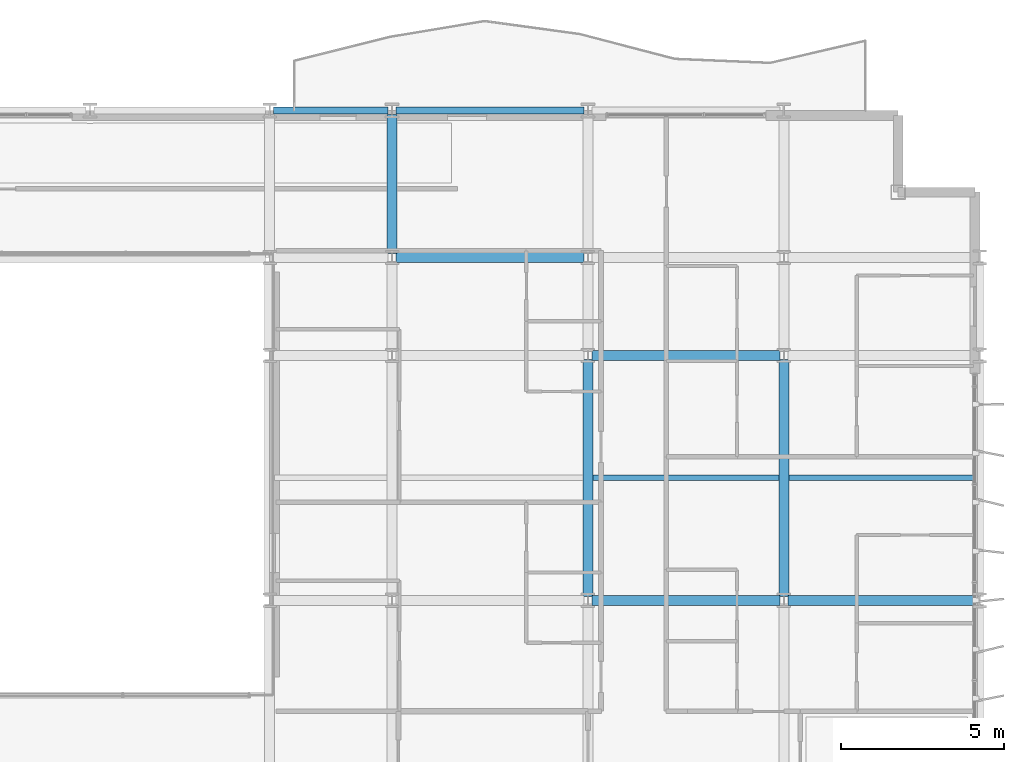
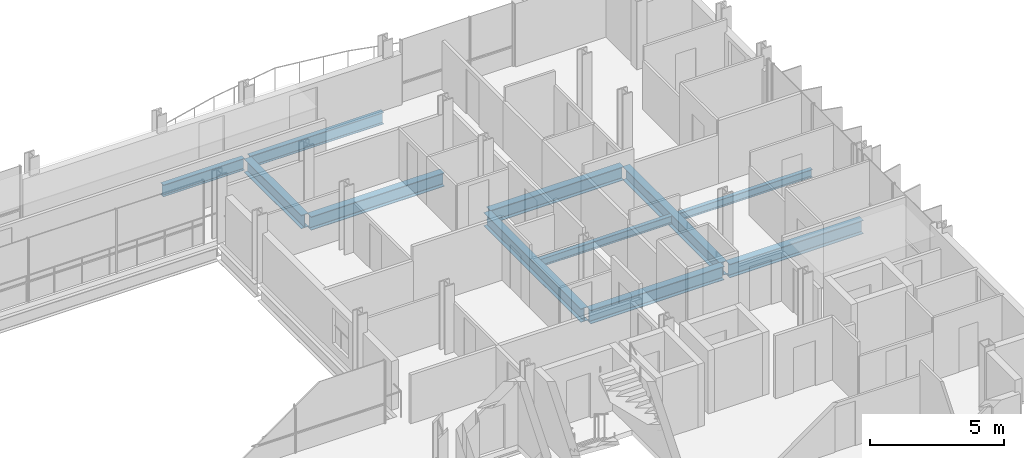
# One storey, part 18 of 39: 11 beams.
"""IFC4 building model written with IfcOpenShell, lengths in metres."""

from ifc_helpers import new_model, si_unit, direction, frame, origin, origin_2d, place, context, subcontext, project, spatial, i_section, extrude, material, material_profile, profile_set, type_object, element, save


model = new_model("IFC4")

# Units and contexts
model_context = context("Model", 3, precision=1e-05, world=origin(), true_north=direction((0.0, 1.0)))
body_context = subcontext(model_context, "Body", "Model", "MODEL_VIEW")
ifc_project = project(units=[si_unit("LENGTHUNIT", "METRE"), si_unit("AREAUNIT", "SQUARE_METRE"), si_unit("VOLUMEUNIT", "CUBIC_METRE"), si_unit("PLANEANGLEUNIT", "RADIAN"), si_unit("MASSUNIT", "GRAM", prefix="KILO")], contexts=[model_context])

# Site, building, storey
site_placement = place(None, origin())
site = spatial("IfcSite", under=ifc_project, at=site_placement, CompositionType="ELEMENT")
building_placement = place(site_placement, origin())
building = spatial("IfcBuilding", under=site, at=building_placement, Name="Brevholm Reach", CompositionType="ELEMENT")
storey_placement = place(building_placement, frame((0.0, 0.0, 90.0)))
storey = spatial("IfcBuildingStorey", under=building, at=storey_placement, Name="L26", CompositionType="ELEMENT", Elevation=90.0)

# Beams
ifc_material_1 = material(Name="Structural Steel S355J2", Category="steel")
ifc_material_profile_1 = material_profile(ifc_material_1, i_section(OverallWidth=0.17138671875, OverallDepth=0.35498046875, WebThickness=0.00732421875, FlangeThickness=0.011474609375, FilletRadius=0.01025390625, at=origin_2d()), Name="UKB 356x171x51")
ifc_profile_set_1 = profile_set([ifc_material_profile_1], Name="Structural Steel S355J2")
beam_type_1 = type_object("IfcBeamType", Name="BM-B356", PredefinedType="BEAM", material=ifc_profile_set_1)
beam_1_placement = place(storey_placement, frame((48.153564453125, 19.75, -0.407470703125), z_axis=(1.0, 0.0, 0.0), x_axis=(0.0, 1.0, 0.0)))
element("IfcBeam", 1, at=beam_1_placement, inside=storey, type_object=beam_type_1, Name="L26 Composite Secondary Floor Beam", PredefinedType="BEAM", context=body_context, shape_type="SweptSolid", body=[
    extrude(i_section(OverallWidth=0.17138671875, OverallDepth=0.35498046875, WebThickness=0.00732421875, FlangeThickness=0.011474609375, FilletRadius=0.01025390625, at=origin_2d()), origin(), (0.0, 0.0, 1.0), 5.69287109375),
])
beam_2_placement = place(storey_placement, frame((54.153564453125, 19.75, -0.407470703125), z_axis=(1.0, 0.0, 0.0), x_axis=(0.0, 1.0, 0.0)))
element("IfcBeam", 2, at=beam_2_placement, inside=storey, type_object=beam_type_1, Name="L26 Composite Secondary Floor Beam", PredefinedType="BEAM", context=body_context, shape_type="SweptSolid", body=[
    extrude(i_section(OverallWidth=0.17138671875, OverallDepth=0.35498046875, WebThickness=0.00732421875, FlangeThickness=0.011474609375, FilletRadius=0.01025390625, at=origin_2d()), origin(), (0.0, 0.0, 1.0), 5.740966796875),
])
ifc_material_2 = material(Name="Structural Steel S355J2", Category="steel")
ifc_material_profile_2 = material_profile(ifc_material_2, i_section(OverallWidth=0.210693359375, OverallDepth=0.53955078125, WebThickness=0.01171875, FlangeThickness=0.018798828125, FilletRadius=0.0126953125, at=origin_2d()), Name="UKB 533x210x109")
ifc_profile_set_2 = profile_set([ifc_material_profile_2], Name="Structural Steel S355J2")
beam_type_2 = type_object("IfcBeamType", Name="BM-SP539", PredefinedType="SPANDREL", material=ifc_profile_set_2)
beam_3_placement = place(storey_placement, frame((38.3701171875, 31.0, -0.499755859375), z_axis=(1.0, 0.0, 0.0), x_axis=(0.0, 1.0, 0.0)))
element("IfcBeam", 3, at=beam_3_placement, inside=storey, type_object=beam_type_2, Name="L26 SP-01B Framing Beam", PredefinedType="SPANDREL", context=body_context, shape_type="SweptSolid", body=[
    extrude(i_section(OverallWidth=0.210693359375, OverallDepth=0.53955078125, WebThickness=0.01171875, FlangeThickness=0.018798828125, FilletRadius=0.0126953125, at=origin_2d()), origin(), (0.0, 0.0, 1.0), 3.509765625),
])
beam_4_placement = place(storey_placement, frame((42.1201171875, 31.0, -0.499755859375), z_axis=(1.0, 0.0, 0.0), x_axis=(0.0, 1.0, 0.0)))
element("IfcBeam", 4, at=beam_4_placement, inside=storey, type_object=beam_type_2, Name="L26 SP-01B Framing Beam", PredefinedType="SPANDREL", context=body_context, shape_type="SweptSolid", body=[
    extrude(i_section(OverallWidth=0.210693359375, OverallDepth=0.53955078125, WebThickness=0.01171875, FlangeThickness=0.018798828125, FilletRadius=0.0126953125, at=origin_2d()), origin(), (0.0, 0.0, 1.0), 5.759765625),
])
ifc_material_3 = material(Name="Structural Steel S355J2", Category="steel")
ifc_material_profile_3 = material_profile(ifc_material_3, i_section(OverallWidth=0.30712890625, OverallDepth=0.6201171875, WebThickness=0.01416015625, FlangeThickness=0.023681640625, FilletRadius=0.0166015625, at=origin_2d()), Name="UKB 610x305x179")
ifc_profile_set_3 = profile_set([ifc_material_profile_3], Name="Structural Steel S355J2")
beam_type_3 = type_object("IfcBeamType", Name="BM-UKB610H", PredefinedType="USERDEFINED", material=ifc_profile_set_3)
for number, where, z_axis, x_axis, name in (
    (5, (48.1201171875, 16.0, -0.5400390625), (1.0, 0.0, 0.0), (0.0, 1.0, 0.0), "L26 G-06 Framing Beam"),
    (6, (54.1201171875, 16.0, -0.5400390625), (1.0, 0.0, 0.0), (0.0, 1.0, 0.0), "L26 G-06 Framing Beam"),
    (7, (48.1201171875, 23.5, -0.5400390625), (1.0, 0.0, 0.0), (0.0, 1.0, 0.0), "L26 G-06 Framing Beam"),
    (8, (42.1201171875, 26.5, -0.5400390625), (1.0, 0.0, 0.0), (0.0, 1.0, 0.0), "L26 G-06 Framing Beam"),
):
    element("IfcBeam", number, at=place(storey_placement, frame(where, z_axis=z_axis, x_axis=x_axis)), inside=storey, type_object=beam_type_3, Name=name, ObjectType="GIRDER", PredefinedType="USERDEFINED", context=body_context, shape_type="SweptSolid", body=[
        extrude(i_section(OverallWidth=0.30712890625, OverallDepth=0.6201171875, WebThickness=0.01416015625, FlangeThickness=0.023681640625, FilletRadius=0.0166015625, at=origin_2d()), origin(), (0.0, 0.0, 1.0), 5.759765625),
    ])
beam_5_placement = place(storey_placement, frame((42.0, 26.6201171875, -0.5400390625), z_axis=(0.0, 1.0, 0.0), x_axis=(-1.0, 0.0, 0.0)))
element("IfcBeam", 9, at=beam_5_placement, inside=storey, type_object=beam_type_3, Name="L26 G-06 Framing Beam", ObjectType="GIRDER", PredefinedType="USERDEFINED", context=body_context, shape_type="SweptSolid", body=[
    extrude(i_section(OverallWidth=0.30712890625, OverallDepth=0.6201171875, WebThickness=0.01416015625, FlangeThickness=0.023681640625, FilletRadius=0.0166015625, at=origin_2d()), origin(), (0.0, 0.0, 1.0), 4.259765625),
])
for number, where, z_axis, x_axis, name in (
    (10, (48.0, 16.1201171875, -0.5400390625), (0.0, 1.0, 0.0), (-1.0, 0.0, 0.0), "L26 G-06 Framing Beam"),
    (11, (54.0, 16.1201171875, -0.5400390625), (0.0, 1.0, 0.0), (-1.0, 0.0, 0.0), "L26 G-06 Framing Beam"),
):
    element("IfcBeam", number, at=place(storey_placement, frame(where, z_axis=z_axis, x_axis=x_axis)), inside=storey, type_object=beam_type_3, Name=name, ObjectType="GIRDER", PredefinedType="USERDEFINED", context=body_context, shape_type="SweptSolid", body=[
        extrude(i_section(OverallWidth=0.30712890625, OverallDepth=0.6201171875, WebThickness=0.01416015625, FlangeThickness=0.023681640625, FilletRadius=0.0166015625, at=origin_2d()), origin(), (0.0, 0.0, 1.0), 7.259765625),
    ])

save(model, "model.ifc")
